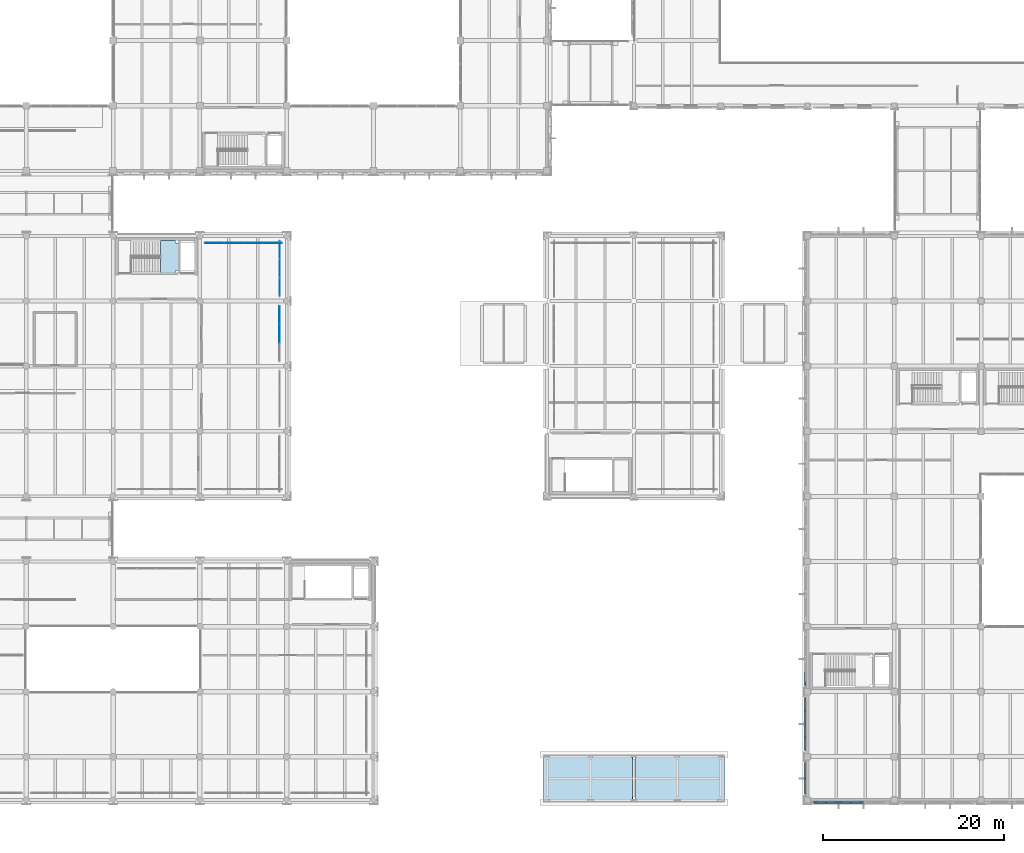
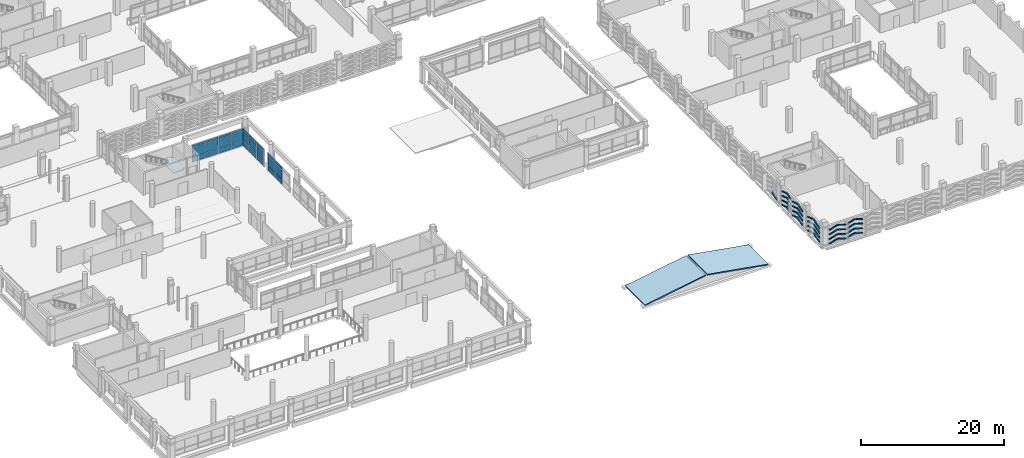
# One storey, part 124 of 180: 68 plates, 3 slabs, 4 elements without a shape of their own.
"""IFC4 building model written with IfcOpenShell, lengths in metres."""

from ifc_helpers import new_model, si_unit, direction, frame, origin, origin_2d, place, context, subcontext, project, spatial, polyline, rectangle, hollow_rectangle, outline, extrude, material, layer, layer_set, material_profile, profile_set, type_object, element, aggregate, save


model = new_model("IFC4")

# Units and contexts
model_context = context("Model", 3, precision=1e-05, world=origin(), true_north=direction((0.0, 1.0)))
body_context = subcontext(model_context, "Body", "Model", "MODEL_VIEW")
ifc_project = project(units=[si_unit("LENGTHUNIT", "METRE"), si_unit("AREAUNIT", "SQUARE_METRE"), si_unit("VOLUMEUNIT", "CUBIC_METRE"), si_unit("PLANEANGLEUNIT", "RADIAN"), si_unit("MASSUNIT", "GRAM", prefix="KILO")], contexts=[model_context])

# Site, building, storey
site_placement = place(None, origin())
site = spatial("IfcSite", under=ifc_project, at=site_placement, CompositionType="ELEMENT")
building_placement = place(site_placement, origin())
building = spatial("IfcBuilding", under=site, at=building_placement, Name="Asteropetra Specialist Clinic", CompositionType="ELEMENT")
storey_placement = place(building_placement, frame((0.0, 0.0, 4.419921875)))
storey = spatial("IfcBuildingStorey", under=building, at=storey_placement, Name="L01", CompositionType="ELEMENT", Elevation=4.419921875)

# Plates
ifc_material_1 = material(Name="Chevron emerald aluminium 6063-T6", Category="aluminium")
ifc_material_profile = material_profile(ifc_material_1, hollow_rectangle(XDim=0.199951171875, YDim=0.199951171875, WallThickness=0.010009765625, InnerFilletRadius=0.008056640625, OuterFilletRadius=0.01611328125, at=origin_2d()), Name="SHS 200x200x10.0")
ifc_profile_set = profile_set([ifc_material_profile], Name="Chevron emerald aluminium 6063-T6")
plate_type_1 = type_object("IfcPlateType", Name="CHV-RIB-200", PredefinedType="SHEET", material=ifc_profile_set)
for number, where, z_axis, x_axis, name in (
    (1, (106.2900390625, -0.24951171875, 0.050048828125), (0.952436086829, 0.0, 0.304738413241), (0.0, 1.0, 0.0), "Chevron Facade Screen Fin CVR-1976"),
    (2, (107.646728515625, -0.24951171875, 0.484130859375), (0.952436086829, 0.0, -0.304738413241), (0.0, 1.0, 0.0), "Chevron Facade Screen Fin CVR-1977"),
    (3, (106.2900390625, -0.24951171875, 0.820068359375), (0.952436086829, 0.0, 0.304738413241), (0.0, 1.0, 0.0), "Chevron Facade Screen Fin CVR-1978"),
    (4, (107.646728515625, -0.24951171875, 1.254150390625), (0.952436086829, 0.0, -0.304738413241), (0.0, 1.0, 0.0), "Chevron Facade Screen Fin CVR-1979"),
    (5, (106.2900390625, -0.24951171875, 1.6201171875), (0.952436086829, 0.0, 0.304738413241), (0.0, 1.0, 0.0), "Chevron Facade Screen Fin CVR-1980"),
    (6, (107.646728515625, -0.24951171875, 2.05419921875), (0.952436086829, 0.0, -0.304738413241), (0.0, 1.0, 0.0), "Chevron Facade Screen Fin CVR-1981"),
    (7, (106.2900390625, -0.24951171875, 2.400146484375), (0.952436086829, 0.0, 0.304738413241), (0.0, 1.0, 0.0), "Chevron Facade Screen Fin CVR-1982"),
    (8, (107.646728515625, -0.24951171875, 2.834228515625), (0.952436086829, 0.0, -0.304738413241), (0.0, 1.0, 0.0), "Chevron Facade Screen Fin CVR-1983"),
    (9, (109.043212890625, -0.24951171875, 0.050048828125), (0.952436086829, 0.0, 0.304738413241), (0.0, 1.0, 0.0), "Chevron Facade Screen Fin CVR-1984"),
    (10, (110.39990234375, -0.24951171875, 0.484130859375), (0.952436086829, 0.0, -0.304738413241), (0.0, 1.0, 0.0), "Chevron Facade Screen Fin CVR-1985"),
    (11, (109.043212890625, -0.24951171875, 0.820068359375), (0.952436086829, 0.0, 0.304738413241), (0.0, 1.0, 0.0), "Chevron Facade Screen Fin CVR-1986"),
    (12, (110.39990234375, -0.24951171875, 1.254150390625), (0.952436086829, 0.0, -0.304738413241), (0.0, 1.0, 0.0), "Chevron Facade Screen Fin CVR-1987"),
    (13, (109.043212890625, -0.24951171875, 1.6201171875), (0.952436086829, 0.0, 0.304738413241), (0.0, 1.0, 0.0), "Chevron Facade Screen Fin CVR-1988"),
    (14, (110.39990234375, -0.24951171875, 2.05419921875), (0.952436086829, 0.0, -0.304738413241), (0.0, 1.0, 0.0), "Chevron Facade Screen Fin CVR-1989"),
    (15, (109.043212890625, -0.24951171875, 2.400146484375), (0.952436086829, 0.0, 0.304738413241), (0.0, 1.0, 0.0), "Chevron Facade Screen Fin CVR-1990"),
    (16, (110.39990234375, -0.24951171875, 2.834228515625), (0.952436086829, 0.0, -0.304738413241), (0.0, 1.0, 0.0), "Chevron Facade Screen Fin CVR-1991"),
):
    element("IfcPlate", number, at=place(storey_placement, frame(where, z_axis=z_axis, x_axis=x_axis)), inside=storey, type_object=plate_type_1, Name=name, PredefinedType="SHEET", context=body_context, shape_type="SweptSolid", body=[
        extrude(hollow_rectangle(XDim=0.199951171875, YDim=0.199951171875, WallThickness=0.010009765625, InnerFilletRadius=0.008056640625, OuterFilletRadius=0.01611328125, at=origin_2d()), origin(), (0.0, 0.0, 1.0), 1.424560546875),
    ])
plate_1_placement = place(storey_placement, frame((105.3505859375, 4.110107421875, 0.050048828125), z_axis=(0.0, -0.952723728462, 0.303837945665), x_axis=(1.0, 0.0, 0.0)))
element("IfcPlate", 17, at=plate_1_placement, inside=storey, type_object=plate_type_1, Name="Chevron Facade Screen Fin CVR-2192", PredefinedType="SHEET", context=body_context, shape_type="SweptSolid", body=[
    extrude(hollow_rectangle(XDim=0.199951171875, YDim=0.199951171875, WallThickness=0.010009765625, InnerFilletRadius=0.008056640625, OuterFilletRadius=0.01611328125, at=origin_2d()), origin(), (0.0, 0.0, 1.0), 1.795166015625),
])
plate_2_placement = place(storey_placement, frame((105.3505859375, 2.39990234375, 0.595458984375), z_axis=(0.0, -0.952711170265, -0.303877320727), x_axis=(1.0, 0.0, 0.0)))
element("IfcPlate", 18, at=plate_2_placement, inside=storey, type_object=plate_type_1, Name="Chevron Facade Screen Fin CVR-2193", PredefinedType="SHEET", context=body_context, shape_type="SweptSolid", body=[
    extrude(hollow_rectangle(XDim=0.199951171875, YDim=0.199951171875, WallThickness=0.010009765625, InnerFilletRadius=0.008056640625, OuterFilletRadius=0.01611328125, at=origin_2d()), origin(), (0.0, 0.0, 1.0), 1.794921875),
])
plate_3_placement = place(storey_placement, frame((105.3505859375, 4.110107421875, 0.820068359375), z_axis=(0.0, -0.952723728462, 0.303837945665), x_axis=(1.0, 0.0, 0.0)))
element("IfcPlate", 19, at=plate_3_placement, inside=storey, type_object=plate_type_1, Name="Chevron Facade Screen Fin CVR-2194", PredefinedType="SHEET", context=body_context, shape_type="SweptSolid", body=[
    extrude(hollow_rectangle(XDim=0.199951171875, YDim=0.199951171875, WallThickness=0.010009765625, InnerFilletRadius=0.008056640625, OuterFilletRadius=0.01611328125, at=origin_2d()), origin(), (0.0, 0.0, 1.0), 1.795166015625),
])
plate_4_placement = place(storey_placement, frame((105.3505859375, 2.39990234375, 1.365478515625), z_axis=(0.0, -0.952711170265, -0.303877320727), x_axis=(1.0, 0.0, 0.0)))
element("IfcPlate", 20, at=plate_4_placement, inside=storey, type_object=plate_type_1, Name="Chevron Facade Screen Fin CVR-2195", PredefinedType="SHEET", context=body_context, shape_type="SweptSolid", body=[
    extrude(hollow_rectangle(XDim=0.199951171875, YDim=0.199951171875, WallThickness=0.010009765625, InnerFilletRadius=0.008056640625, OuterFilletRadius=0.01611328125, at=origin_2d()), origin(), (0.0, 0.0, 1.0), 1.794921875),
])
plate_5_placement = place(storey_placement, frame((105.3505859375, 4.110107421875, 1.6201171875), z_axis=(0.0, -0.952723728462, 0.303837945665), x_axis=(1.0, 0.0, 0.0)))
element("IfcPlate", 21, at=plate_5_placement, inside=storey, type_object=plate_type_1, Name="Chevron Facade Screen Fin CVR-2196", PredefinedType="SHEET", context=body_context, shape_type="SweptSolid", body=[
    extrude(hollow_rectangle(XDim=0.199951171875, YDim=0.199951171875, WallThickness=0.010009765625, InnerFilletRadius=0.008056640625, OuterFilletRadius=0.01611328125, at=origin_2d()), origin(), (0.0, 0.0, 1.0), 1.795166015625),
])
plate_6_placement = place(storey_placement, frame((105.3505859375, 2.39990234375, 2.16552734375), z_axis=(0.0, -0.952711170265, -0.303877320727), x_axis=(1.0, 0.0, 0.0)))
element("IfcPlate", 22, at=plate_6_placement, inside=storey, type_object=plate_type_1, Name="Chevron Facade Screen Fin CVR-2197", PredefinedType="SHEET", context=body_context, shape_type="SweptSolid", body=[
    extrude(hollow_rectangle(XDim=0.199951171875, YDim=0.199951171875, WallThickness=0.010009765625, InnerFilletRadius=0.008056640625, OuterFilletRadius=0.01611328125, at=origin_2d()), origin(), (0.0, 0.0, 1.0), 1.794921875),
])
plate_7_placement = place(storey_placement, frame((105.3505859375, 4.110107421875, 2.400146484375), z_axis=(0.0, -0.952723728462, 0.303837945665), x_axis=(1.0, 0.0, 0.0)))
element("IfcPlate", 23, at=plate_7_placement, inside=storey, type_object=plate_type_1, Name="Chevron Facade Screen Fin CVR-2198", PredefinedType="SHEET", context=body_context, shape_type="SweptSolid", body=[
    extrude(hollow_rectangle(XDim=0.199951171875, YDim=0.199951171875, WallThickness=0.010009765625, InnerFilletRadius=0.008056640625, OuterFilletRadius=0.01611328125, at=origin_2d()), origin(), (0.0, 0.0, 1.0), 1.795166015625),
])
plate_8_placement = place(storey_placement, frame((105.3505859375, 2.39990234375, 2.945556640625), z_axis=(0.0, -0.952711170265, -0.303877320727), x_axis=(1.0, 0.0, 0.0)))
element("IfcPlate", 24, at=plate_8_placement, inside=storey, type_object=plate_type_1, Name="Chevron Facade Screen Fin CVR-2199", PredefinedType="SHEET", context=body_context, shape_type="SweptSolid", body=[
    extrude(hollow_rectangle(XDim=0.199951171875, YDim=0.199951171875, WallThickness=0.010009765625, InnerFilletRadius=0.008056640625, OuterFilletRadius=0.01611328125, at=origin_2d()), origin(), (0.0, 0.0, 1.0), 1.794921875),
])
for number, where, z_axis, x_axis, name in (
    (25, (105.3505859375, 11.31005859375, 0.050048828125), (0.0, -0.952521261695, 0.304472077568), (1.0, 0.0, 0.0), "Chevron Facade Screen Fin CVR-2208"),
    (26, (105.3505859375, 9.864990234375, 0.511962890625), (0.0, -0.952521261695, -0.304472077568), (1.0, 0.0, 0.0), "Chevron Facade Screen Fin CVR-2209"),
    (27, (105.3505859375, 11.31005859375, 0.820068359375), (0.0, -0.952521261695, 0.304472077568), (1.0, 0.0, 0.0), "Chevron Facade Screen Fin CVR-2210"),
    (28, (105.3505859375, 9.864990234375, 1.281982421875), (0.0, -0.952521261695, -0.304472077568), (1.0, 0.0, 0.0), "Chevron Facade Screen Fin CVR-2211"),
    (29, (105.3505859375, 11.31005859375, 1.6201171875), (0.0, -0.952521261695, 0.304472077568), (1.0, 0.0, 0.0), "Chevron Facade Screen Fin CVR-2212"),
    (30, (105.3505859375, 9.864990234375, 2.08203125), (0.0, -0.952521261695, -0.304472077568), (1.0, 0.0, 0.0), "Chevron Facade Screen Fin CVR-2213"),
    (31, (105.3505859375, 11.31005859375, 2.400146484375), (0.0, -0.952521261695, 0.304472077568), (1.0, 0.0, 0.0), "Chevron Facade Screen Fin CVR-2214"),
    (32, (105.3505859375, 9.864990234375, 2.862060546875), (0.0, -0.952521261695, -0.304472077568), (1.0, 0.0, 0.0), "Chevron Facade Screen Fin CVR-2215"),
):
    element("IfcPlate", number, at=place(storey_placement, frame(where, z_axis=z_axis, x_axis=x_axis)), inside=storey, type_object=plate_type_1, Name=name, PredefinedType="SHEET", context=body_context, shape_type="SweptSolid", body=[
        extrude(hollow_rectangle(XDim=0.199951171875, YDim=0.199951171875, WallThickness=0.010009765625, InnerFilletRadius=0.008056640625, OuterFilletRadius=0.01611328125, at=origin_2d()), origin(), (0.0, 0.0, 1.0), 1.51708984375),
    ])
plate_9_placement = place(storey_placement, frame((105.3505859375, 8.3798828125, 0.050048828125), z_axis=(0.0, -0.952506339897, 0.304518755506), x_axis=(1.0, 0.0, 0.0)))
element("IfcPlate", 33, at=plate_9_placement, inside=storey, type_object=plate_type_1, Name="Chevron Facade Screen Fin CVR-2216", PredefinedType="SHEET", context=body_context, shape_type="SweptSolid", body=[
    extrude(hollow_rectangle(XDim=0.199951171875, YDim=0.199951171875, WallThickness=0.010009765625, InnerFilletRadius=0.008056640625, OuterFilletRadius=0.01611328125, at=origin_2d()), origin(), (0.0, 0.0, 1.0), 1.516845703125),
])
plate_10_placement = place(storey_placement, frame((105.3505859375, 6.93505859375, 0.511962890625), z_axis=(0.0, -0.952521261695, -0.304472077568), x_axis=(1.0, 0.0, 0.0)))
element("IfcPlate", 34, at=plate_10_placement, inside=storey, type_object=plate_type_1, Name="Chevron Facade Screen Fin CVR-2217", PredefinedType="SHEET", context=body_context, shape_type="SweptSolid", body=[
    extrude(hollow_rectangle(XDim=0.199951171875, YDim=0.199951171875, WallThickness=0.010009765625, InnerFilletRadius=0.008056640625, OuterFilletRadius=0.01611328125, at=origin_2d()), origin(), (0.0, 0.0, 1.0), 1.51708984375),
])
plate_11_placement = place(storey_placement, frame((105.3505859375, 8.3798828125, 0.820068359375), z_axis=(0.0, -0.952506339897, 0.304518755506), x_axis=(1.0, 0.0, 0.0)))
element("IfcPlate", 35, at=plate_11_placement, inside=storey, type_object=plate_type_1, Name="Chevron Facade Screen Fin CVR-2218", PredefinedType="SHEET", context=body_context, shape_type="SweptSolid", body=[
    extrude(hollow_rectangle(XDim=0.199951171875, YDim=0.199951171875, WallThickness=0.010009765625, InnerFilletRadius=0.008056640625, OuterFilletRadius=0.01611328125, at=origin_2d()), origin(), (0.0, 0.0, 1.0), 1.516845703125),
])
plate_12_placement = place(storey_placement, frame((105.3505859375, 6.93505859375, 1.281982421875), z_axis=(0.0, -0.952521261695, -0.304472077568), x_axis=(1.0, 0.0, 0.0)))
element("IfcPlate", 36, at=plate_12_placement, inside=storey, type_object=plate_type_1, Name="Chevron Facade Screen Fin CVR-2219", PredefinedType="SHEET", context=body_context, shape_type="SweptSolid", body=[
    extrude(hollow_rectangle(XDim=0.199951171875, YDim=0.199951171875, WallThickness=0.010009765625, InnerFilletRadius=0.008056640625, OuterFilletRadius=0.01611328125, at=origin_2d()), origin(), (0.0, 0.0, 1.0), 1.51708984375),
])
plate_13_placement = place(storey_placement, frame((105.3505859375, 8.3798828125, 1.6201171875), z_axis=(0.0, -0.952506339897, 0.304518755506), x_axis=(1.0, 0.0, 0.0)))
element("IfcPlate", 37, at=plate_13_placement, inside=storey, type_object=plate_type_1, Name="Chevron Facade Screen Fin CVR-2220", PredefinedType="SHEET", context=body_context, shape_type="SweptSolid", body=[
    extrude(hollow_rectangle(XDim=0.199951171875, YDim=0.199951171875, WallThickness=0.010009765625, InnerFilletRadius=0.008056640625, OuterFilletRadius=0.01611328125, at=origin_2d()), origin(), (0.0, 0.0, 1.0), 1.516845703125),
])
plate_14_placement = place(storey_placement, frame((105.3505859375, 6.93505859375, 2.08203125), z_axis=(0.0, -0.952521261695, -0.304472077568), x_axis=(1.0, 0.0, 0.0)))
element("IfcPlate", 38, at=plate_14_placement, inside=storey, type_object=plate_type_1, Name="Chevron Facade Screen Fin CVR-2221", PredefinedType="SHEET", context=body_context, shape_type="SweptSolid", body=[
    extrude(hollow_rectangle(XDim=0.199951171875, YDim=0.199951171875, WallThickness=0.010009765625, InnerFilletRadius=0.008056640625, OuterFilletRadius=0.01611328125, at=origin_2d()), origin(), (0.0, 0.0, 1.0), 1.51708984375),
])
plate_15_placement = place(storey_placement, frame((105.3505859375, 8.3798828125, 2.400146484375), z_axis=(0.0, -0.952506339897, 0.304518755506), x_axis=(1.0, 0.0, 0.0)))
element("IfcPlate", 39, at=plate_15_placement, inside=storey, type_object=plate_type_1, Name="Chevron Facade Screen Fin CVR-2222", PredefinedType="SHEET", context=body_context, shape_type="SweptSolid", body=[
    extrude(hollow_rectangle(XDim=0.199951171875, YDim=0.199951171875, WallThickness=0.010009765625, InnerFilletRadius=0.008056640625, OuterFilletRadius=0.01611328125, at=origin_2d()), origin(), (0.0, 0.0, 1.0), 1.516845703125),
])
for number, where, z_axis, x_axis, name in (
    (40, (105.3505859375, 6.93505859375, 2.862060546875), (0.0, -0.952521261695, -0.304472077568), (1.0, 0.0, 0.0), "Chevron Facade Screen Fin CVR-2223"),
    (41, (105.3505859375, 14.135009765625, 0.511962890625), (0.0, -0.952521261695, -0.304472077568), (1.0, 0.0, 0.0), "Chevron Facade Screen Fin CVR-2249"),
):
    element("IfcPlate", number, at=place(storey_placement, frame(where, z_axis=z_axis, x_axis=x_axis)), inside=storey, type_object=plate_type_1, Name=name, PredefinedType="SHEET", context=body_context, shape_type="SweptSolid", body=[
        extrude(hollow_rectangle(XDim=0.199951171875, YDim=0.199951171875, WallThickness=0.010009765625, InnerFilletRadius=0.008056640625, OuterFilletRadius=0.01611328125, at=origin_2d()), origin(), (0.0, 0.0, 1.0), 1.51708984375),
    ])

# Curtain wall, plates
ifc_material_2 = material(Name="Aluminium and low-E glass", Category="aluminium")
ifc_layer_1 = layer(ifc_material_2, 0.179931640625)
ifc_layer_set_1 = layer_set([ifc_layer_1], Name="Aluminium and low-E glass")
curtain_wall_type_1 = type_object("IfcCurtainWallType", Name="CW-SYS-01", PredefinedType="USERDEFINED", material=ifc_layer_set_1)
curtain_wall_1_placement = place(storey_placement, origin())
curtain_wall_1 = element("IfcCurtainWall", 42, at=curtain_wall_1_placement, inside=storey, type_object=curtain_wall_type_1, Name="Curtain Wall CW-165", ObjectType="UNITISED CURTAIN WALL", PredefinedType="USERDEFINED")
ifc_material_3 = material(Name="Low-E acoustic double glazing", Category="glass")
ifc_layer_2 = layer(ifc_material_3, 0.031982421875)
ifc_layer_set_2 = layer_set([ifc_layer_2], Name="Low-E acoustic double glazing")
plate_type_2 = type_object("IfcPlateType", Name="CWP-GLZ-32", PredefinedType="CURTAIN_PANEL", material=ifc_layer_set_2)
plate_16_placement = place(storey_placement, frame((47.219970703125, 56.7587890625, 0.074951171875), z_axis=(0.0, 0.0, 1.0), x_axis=(0.0, 1.0, 0.0)))
plate_16 = element("IfcPlate", 43, at=plate_16_placement, type_object=plate_type_2, Name="CW-165 panel 1.1", PredefinedType="CURTAIN_PANEL", context=body_context, shape_type="SweptSolid", body=[
    extrude(rectangle(XDim=1.947509765625, YDim=0.031982421875, at=origin_2d()), origin(), (0.0, 0.0, 1.0), 0.78759765625),
])
plate_17_placement = place(storey_placement, frame((47.219970703125, 56.7587890625, 0.9375), z_axis=(0.0, 0.0, 1.0), x_axis=(0.0, 1.0, 0.0)))
plate_17 = element("IfcPlate", 44, at=plate_17_placement, type_object=plate_type_2, Name="CW-165 panel 1.2", PredefinedType="CURTAIN_PANEL", context=body_context, shape_type="SweptSolid", body=[
    extrude(rectangle(XDim=1.947509765625, YDim=0.031982421875, at=origin_2d()), origin(), (0.0, 0.0, 1.0), 1.5849609375),
])
plate_18_placement = place(storey_placement, frame((47.219970703125, 56.7587890625, 2.59765625), z_axis=(0.0, 0.0, 1.0), x_axis=(0.0, 1.0, 0.0)))
plate_18 = element("IfcPlate", 45, at=plate_18_placement, type_object=plate_type_2, Name="CW-165 panel 1.3", PredefinedType="CURTAIN_PANEL", context=body_context, shape_type="SweptSolid", body=[
    extrude(rectangle(XDim=1.947509765625, YDim=0.031982421875, at=origin_2d()), origin(), (0.0, 0.0, 1.0), 0.387451171875),
])
plate_19_placement = place(storey_placement, frame((47.219970703125, 58.800048828125, 0.074951171875), z_axis=(0.0, 0.0, 1.0), x_axis=(0.0, 1.0, 0.0)))
plate_19 = element("IfcPlate", 46, at=plate_19_placement, type_object=plate_type_2, Name="CW-165 panel 2.1", PredefinedType="CURTAIN_PANEL", context=body_context, shape_type="SweptSolid", body=[
    extrude(rectangle(XDim=1.985107421875, YDim=0.031982421875, at=origin_2d()), origin(), (0.0, 0.0, 1.0), 0.78759765625),
])
plate_20_placement = place(storey_placement, frame((47.219970703125, 58.800048828125, 0.9375), z_axis=(0.0, 0.0, 1.0), x_axis=(0.0, 1.0, 0.0)))
plate_20 = element("IfcPlate", 47, at=plate_20_placement, type_object=plate_type_2, Name="CW-165 panel 2.2", PredefinedType="CURTAIN_PANEL", context=body_context, shape_type="SweptSolid", body=[
    extrude(rectangle(XDim=1.985107421875, YDim=0.031982421875, at=origin_2d()), origin(), (0.0, 0.0, 1.0), 1.5849609375),
])
plate_21_placement = place(storey_placement, frame((47.219970703125, 58.800048828125, 2.59765625), z_axis=(0.0, 0.0, 1.0), x_axis=(0.0, 1.0, 0.0)))
plate_21 = element("IfcPlate", 48, at=plate_21_placement, type_object=plate_type_2, Name="CW-165 panel 2.3", PredefinedType="CURTAIN_PANEL", context=body_context, shape_type="SweptSolid", body=[
    extrude(rectangle(XDim=1.985107421875, YDim=0.031982421875, at=origin_2d()), origin(), (0.0, 0.0, 1.0), 0.387451171875),
])
plate_22_placement = place(storey_placement, frame((47.219970703125, 60.84130859375, 0.074951171875), z_axis=(0.0, 0.0, 1.0), x_axis=(0.0, 1.0, 0.0)))
plate_22 = element("IfcPlate", 49, at=plate_22_placement, type_object=plate_type_2, Name="CW-165 panel 3.1", PredefinedType="CURTAIN_PANEL", context=body_context, shape_type="SweptSolid", body=[
    extrude(rectangle(XDim=1.947509765625, YDim=0.031982421875, at=origin_2d()), origin(), (0.0, 0.0, 1.0), 0.78759765625),
])
plate_23_placement = place(storey_placement, frame((47.219970703125, 60.84130859375, 0.9375), z_axis=(0.0, 0.0, 1.0), x_axis=(0.0, 1.0, 0.0)))
plate_23 = element("IfcPlate", 50, at=plate_23_placement, type_object=plate_type_2, Name="CW-165 panel 3.2", PredefinedType="CURTAIN_PANEL", context=body_context, shape_type="SweptSolid", body=[
    extrude(rectangle(XDim=1.947509765625, YDim=0.031982421875, at=origin_2d()), origin(), (0.0, 0.0, 1.0), 1.5849609375),
])
plate_24_placement = place(storey_placement, frame((47.219970703125, 60.84130859375, 2.59765625), z_axis=(0.0, 0.0, 1.0), x_axis=(0.0, 1.0, 0.0)))
plate_24 = element("IfcPlate", 51, at=plate_24_placement, type_object=plate_type_2, Name="CW-165 panel 3.3", PredefinedType="CURTAIN_PANEL", context=body_context, shape_type="SweptSolid", body=[
    extrude(rectangle(XDim=1.947509765625, YDim=0.031982421875, at=origin_2d()), origin(), (0.0, 0.0, 1.0), 0.387451171875),
])
aggregate(curtain_wall_1, [plate_16, plate_17, plate_18, plate_19, plate_20, plate_21, plate_22, plate_23, plate_24])

ifc_material_4 = material(Name="Aluminium and low-E glass", Category="aluminium")
ifc_layer_3 = layer(ifc_material_4, 0.14990234375)
ifc_layer_set_3 = layer_set([ifc_layer_3], Name="Aluminium and low-E glass")
curtain_wall_type_2 = type_object("IfcCurtainWallType", Name="CW-SYS-11", PredefinedType="USERDEFINED", material=ifc_layer_set_3)
curtain_wall_2_placement = place(storey_placement, origin())
curtain_wall_2 = element("IfcCurtainWall", 52, at=curtain_wall_2_placement, inside=storey, type_object=curtain_wall_type_2, Name="Curtain Wall CW-158", ObjectType="STICK GLAZED COLONNADE", PredefinedType="USERDEFINED")
ifc_material_5 = material(Name="Solar-control triple glazing", Category="glass")
ifc_layer_4 = layer(ifc_material_5, 0.035888671875)
ifc_layer_set_4 = layer_set([ifc_layer_4], Name="Solar-control triple glazing")
plate_type_3 = type_object("IfcPlateType", Name="CWP-GLZ-36", PredefinedType="CURTAIN_PANEL", material=ifc_layer_set_4)
plate_25_placement = place(storey_placement, frame((46.402587890625, 61.6201171875, 0.06005859375), z_axis=(0.0, 0.0, 1.0), x_axis=(-1.0, 0.0, 0.0)))
plate_25 = element("IfcPlate", 53, at=plate_25_placement, type_object=plate_type_3, Name="CW-158 panel 1.1", PredefinedType="CURTAIN_PANEL", context=body_context, shape_type="SweptSolid", body=[
    extrude(rectangle(XDim=2.054931640625, YDim=0.035888671875, at=origin_2d()), origin(), (0.0, 0.0, 1.0), 0.81005859375),
])
plate_26_placement = place(storey_placement, frame((46.402587890625, 61.6201171875, 0.929931640625), z_axis=(0.0, 0.0, 1.0), x_axis=(-1.0, 0.0, 0.0)))
plate_26 = element("IfcPlate", 54, at=plate_26_placement, type_object=plate_type_3, Name="CW-158 panel 1.2", PredefinedType="CURTAIN_PANEL", context=body_context, shape_type="SweptSolid", body=[
    extrude(rectangle(XDim=2.054931640625, YDim=0.035888671875, at=origin_2d()), origin(), (0.0, 0.0, 1.0), 1.60009765625),
])
plate_27_placement = place(storey_placement, frame((46.402587890625, 61.6201171875, 2.59033203125), z_axis=(0.0, 0.0, 1.0), x_axis=(-1.0, 0.0, 0.0)))
plate_27 = element("IfcPlate", 55, at=plate_27_placement, type_object=plate_type_3, Name="CW-158 panel 1.3", PredefinedType="CURTAIN_PANEL", context=body_context, shape_type="SweptSolid", body=[
    extrude(rectangle(XDim=2.054931640625, YDim=0.035888671875, at=origin_2d()), origin(), (0.0, 0.0, 1.0), 0.409912109375),
])
plate_28_placement = place(storey_placement, frame((44.2724609375, 61.6201171875, 0.06005859375), z_axis=(0.0, 0.0, 1.0), x_axis=(-1.0, 0.0, 0.0)))
plate_28 = element("IfcPlate", 56, at=plate_28_placement, type_object=plate_type_3, Name="CW-158 panel 2.1", PredefinedType="CURTAIN_PANEL", context=body_context, shape_type="SweptSolid", body=[
    extrude(rectangle(XDim=2.0849609375, YDim=0.035888671875, at=origin_2d()), origin(), (0.0, 0.0, 1.0), 0.81005859375),
])
plate_29_placement = place(storey_placement, frame((44.2724609375, 61.6201171875, 0.929931640625), z_axis=(0.0, 0.0, 1.0), x_axis=(-1.0, 0.0, 0.0)))
plate_29 = element("IfcPlate", 57, at=plate_29_placement, type_object=plate_type_3, Name="CW-158 panel 2.2", PredefinedType="CURTAIN_PANEL", context=body_context, shape_type="SweptSolid", body=[
    extrude(rectangle(XDim=2.0849609375, YDim=0.035888671875, at=origin_2d()), origin(), (0.0, 0.0, 1.0), 1.60009765625),
])
plate_30_placement = place(storey_placement, frame((44.2724609375, 61.6201171875, 2.59033203125), z_axis=(0.0, 0.0, 1.0), x_axis=(-1.0, 0.0, 0.0)))
plate_30 = element("IfcPlate", 58, at=plate_30_placement, type_object=plate_type_3, Name="CW-158 panel 2.3", PredefinedType="CURTAIN_PANEL", context=body_context, shape_type="SweptSolid", body=[
    extrude(rectangle(XDim=2.0849609375, YDim=0.035888671875, at=origin_2d()), origin(), (0.0, 0.0, 1.0), 0.409912109375),
])
plate_31_placement = place(storey_placement, frame((42.12744140625, 61.6201171875, 0.06005859375), z_axis=(0.0, 0.0, 1.0), x_axis=(-1.0, 0.0, 0.0)))
plate_31 = element("IfcPlate", 59, at=plate_31_placement, type_object=plate_type_3, Name="CW-158 panel 3.1", PredefinedType="CURTAIN_PANEL", context=body_context, shape_type="SweptSolid", body=[
    extrude(rectangle(XDim=2.0849609375, YDim=0.035888671875, at=origin_2d()), origin(), (0.0, 0.0, 1.0), 0.81005859375),
])
plate_32_placement = place(storey_placement, frame((42.12744140625, 61.6201171875, 0.929931640625), z_axis=(0.0, 0.0, 1.0), x_axis=(-1.0, 0.0, 0.0)))
plate_32 = element("IfcPlate", 60, at=plate_32_placement, type_object=plate_type_3, Name="CW-158 panel 3.2", PredefinedType="CURTAIN_PANEL", context=body_context, shape_type="SweptSolid", body=[
    extrude(rectangle(XDim=2.0849609375, YDim=0.035888671875, at=origin_2d()), origin(), (0.0, 0.0, 1.0), 1.60009765625),
])
plate_33_placement = place(storey_placement, frame((42.12744140625, 61.6201171875, 2.59033203125), z_axis=(0.0, 0.0, 1.0), x_axis=(-1.0, 0.0, 0.0)))
plate_33 = element("IfcPlate", 61, at=plate_33_placement, type_object=plate_type_3, Name="CW-158 panel 3.3", PredefinedType="CURTAIN_PANEL", context=body_context, shape_type="SweptSolid", body=[
    extrude(rectangle(XDim=2.0849609375, YDim=0.035888671875, at=origin_2d()), origin(), (0.0, 0.0, 1.0), 0.409912109375),
])
plate_34_placement = place(storey_placement, frame((39.99755859375, 61.6201171875, 0.06005859375), z_axis=(0.0, 0.0, 1.0), x_axis=(-1.0, 0.0, 0.0)))
plate_34 = element("IfcPlate", 62, at=plate_34_placement, type_object=plate_type_3, Name="CW-158 panel 4.1", PredefinedType="CURTAIN_PANEL", context=body_context, shape_type="SweptSolid", body=[
    extrude(rectangle(XDim=2.054931640625, YDim=0.035888671875, at=origin_2d()), origin(), (0.0, 0.0, 1.0), 0.81005859375),
])
plate_35_placement = place(storey_placement, frame((39.99755859375, 61.6201171875, 0.929931640625), z_axis=(0.0, 0.0, 1.0), x_axis=(-1.0, 0.0, 0.0)))
plate_35 = element("IfcPlate", 63, at=plate_35_placement, type_object=plate_type_3, Name="CW-158 panel 4.2", PredefinedType="CURTAIN_PANEL", context=body_context, shape_type="SweptSolid", body=[
    extrude(rectangle(XDim=2.054931640625, YDim=0.035888671875, at=origin_2d()), origin(), (0.0, 0.0, 1.0), 1.60009765625),
])
plate_36_placement = place(storey_placement, frame((39.99755859375, 61.6201171875, 2.59033203125), z_axis=(0.0, 0.0, 1.0), x_axis=(-1.0, 0.0, 0.0)))
plate_36 = element("IfcPlate", 64, at=plate_36_placement, type_object=plate_type_3, Name="CW-158 panel 4.3", PredefinedType="CURTAIN_PANEL", context=body_context, shape_type="SweptSolid", body=[
    extrude(rectangle(XDim=2.054931640625, YDim=0.035888671875, at=origin_2d()), origin(), (0.0, 0.0, 1.0), 0.409912109375),
])
aggregate(curtain_wall_2, [plate_25, plate_26, plate_27, plate_28, plate_29, plate_30, plate_31, plate_32, plate_33, plate_34, plate_35, plate_36])

ifc_material_6 = material(Name="Aluminium and low-E glass", Category="aluminium")
ifc_layer_5 = layer(ifc_material_6, 0.179931640625)
ifc_layer_set_5 = layer_set([ifc_layer_5], Name="Aluminium and low-E glass")
curtain_wall_type_3 = type_object("IfcCurtainWallType", Name="CW-SYS-10", PredefinedType="USERDEFINED", material=ifc_layer_set_5)
curtain_wall_3_placement = place(storey_placement, origin())
curtain_wall_3 = element("IfcCurtainWall", 65, at=curtain_wall_3_placement, inside=storey, type_object=curtain_wall_type_3, Name="Curtain Wall CW-163", ObjectType="STICK GLAZED COLONNADE", PredefinedType="USERDEFINED")
ifc_material_7 = material(Name="Laminated skylight glazing", Category="glass")
ifc_layer_6 = layer(ifc_material_7, 0.0400390625)
ifc_layer_set_6 = layer_set([ifc_layer_6], Name="Laminated skylight glazing")
plate_type_4 = type_object("IfcPlateType", Name="CWP-GLZ-40", PredefinedType="CURTAIN_PANEL", material=ifc_layer_set_6)
plate_37_placement = place(storey_placement, frame((47.219970703125, 51.60009765625, 0.06494140625), z_axis=(0.0, 0.0, 1.0), x_axis=(0.0, 1.0, 0.0)))
plate_37 = element("IfcPlate", 66, at=plate_37_placement, type_object=plate_type_4, Name="CW-163 panel 2.1", PredefinedType="CURTAIN_PANEL", context=body_context, shape_type="SweptSolid", body=[
    extrude(rectangle(XDim=1.9951171875, YDim=0.0400390625, at=origin_2d()), origin(), (0.0, 0.0, 1.0), 0.802490234375),
])
plate_38_placement = place(storey_placement, frame((47.219970703125, 51.60009765625, 0.9326171875), z_axis=(0.0, 0.0, 1.0), x_axis=(0.0, 1.0, 0.0)))
plate_38 = element("IfcPlate", 67, at=plate_38_placement, type_object=plate_type_4, Name="CW-163 panel 2.2", PredefinedType="CURTAIN_PANEL", context=body_context, shape_type="SweptSolid", body=[
    extrude(rectangle(XDim=1.9951171875, YDim=0.0400390625, at=origin_2d()), origin(), (0.0, 0.0, 1.0), 1.594970703125),
])
plate_39_placement = place(storey_placement, frame((47.219970703125, 51.60009765625, 2.5927734375), z_axis=(0.0, 0.0, 1.0), x_axis=(0.0, 1.0, 0.0)))
plate_39 = element("IfcPlate", 68, at=plate_39_placement, type_object=plate_type_4, Name="CW-163 panel 2.3", PredefinedType="CURTAIN_PANEL", context=body_context, shape_type="SweptSolid", body=[
    extrude(rectangle(XDim=1.9951171875, YDim=0.0400390625, at=origin_2d()), origin(), (0.0, 0.0, 1.0), 0.402587890625),
])
plate_40_placement = place(storey_placement, frame((47.219970703125, 53.643798828125, 0.06494140625), z_axis=(0.0, 0.0, 1.0), x_axis=(0.0, 1.0, 0.0)))
plate_40 = element("IfcPlate", 69, at=plate_40_placement, type_object=plate_type_4, Name="CW-163 panel 3.1", PredefinedType="CURTAIN_PANEL", context=body_context, shape_type="SweptSolid", body=[
    extrude(rectangle(XDim=1.96240234375, YDim=0.0400390625, at=origin_2d()), origin(), (0.0, 0.0, 1.0), 0.802490234375),
])
plate_41_placement = place(storey_placement, frame((47.219970703125, 53.643798828125, 0.9326171875), z_axis=(0.0, 0.0, 1.0), x_axis=(0.0, 1.0, 0.0)))
plate_41 = element("IfcPlate", 70, at=plate_41_placement, type_object=plate_type_4, Name="CW-163 panel 3.2", PredefinedType="CURTAIN_PANEL", context=body_context, shape_type="SweptSolid", body=[
    extrude(rectangle(XDim=1.96240234375, YDim=0.0400390625, at=origin_2d()), origin(), (0.0, 0.0, 1.0), 1.594970703125),
])
plate_42_placement = place(storey_placement, frame((47.219970703125, 53.643798828125, 2.5927734375), z_axis=(0.0, 0.0, 1.0), x_axis=(0.0, 1.0, 0.0)))
plate_42 = element("IfcPlate", 71, at=plate_42_placement, type_object=plate_type_4, Name="CW-163 panel 3.3", PredefinedType="CURTAIN_PANEL", context=body_context, shape_type="SweptSolid", body=[
    extrude(rectangle(XDim=1.96240234375, YDim=0.0400390625, at=origin_2d()), origin(), (0.0, 0.0, 1.0), 0.402587890625),
])
aggregate(curtain_wall_3, [plate_37, plate_38, plate_39, plate_40, plate_41, plate_42])

# Stair, slab
ifc_material_8 = material(Name="Concrete C35/45", Category="concrete")
stair_type = type_object("IfcStairType", Name="STR-DOG-160", PredefinedType="TWO_STRAIGHT_RUN_STAIR", material=ifc_material_8)
stair_placement = place(storey_placement, origin())
stair = element("IfcStair", 72, at=stair_placement, inside=storey, type_object=stair_type, Name="Type I Stair ST05-L01", PredefinedType="TWO_STRAIGHT_RUN_STAIR")
ifc_material_9 = material(Name="Concrete C35/45", Category="concrete")
ifc_layer_7 = layer(ifc_material_9, 0.199951171875)
ifc_layer_set_7 = layer_set([ifc_layer_7], Name="Concrete C35/45")
slab_type_1 = type_object("IfcSlabType", Name="SLB-LND-200", PredefinedType="LANDING", material=ifc_layer_set_7)
slab_1_placement = place(storey_placement, frame((0.0, 0.0, 1.840087890625)))
slab_1 = element("IfcSlab", 73, at=slab_1_placement, type_object=slab_type_1, Name="ST05-L01 landing 1", PredefinedType="LANDING", context=body_context, shape_type="SweptSolid", body=[
    extrude(outline(polyline([(34.050048828125, 58.27001953125), (35.699951171875, 58.27001953125), (35.699951171875, 58.590087890625), (36.02001953125, 58.590087890625), (36.02001953125, 61.590087890625), (35.699951171875, 61.590087890625), (35.699951171875, 61.909912109375), (34.050048828125, 61.909912109375), (34.050048828125, 58.27001953125)])), origin(), (0.0, 0.0, 1.0), 0.199951171875),
])
aggregate(stair, [slab_1])

# Slabs
ifc_material_10 = material(Name="Concrete C35/45", Category="concrete")
ifc_layer_8 = layer(ifc_material_10, 0.18994140625)
ifc_layer_set_8 = layer_set([ifc_layer_8], Name="Concrete C35/45")
slab_type_2 = type_object("IfcSlabType", Name="SLB-ROOF-190", PredefinedType="ROOF", material=ifc_layer_set_8)
slab_2_placement = place(storey_placement, frame((76.39990234375, -0.39990234375, 0.16015625), z_axis=(-0.169900379661, 0.0, 0.985461242765), x_axis=(0.985461242765, 0.0, 0.169900379661)))
element("IfcSlab", 74, at=slab_2_placement, inside=storey, type_object=slab_type_2, Name="Hexastyle Portico Pediment Roof West", PredefinedType="ROOF", context=body_context, shape_type="SweptSolid", body=[
    extrude(outline(polyline([(0.0, 0.0), (10.0055760632596, 0.0), (10.0055760632596, 5.5), (0.0, 5.5), (0.0, 0.0)])), origin(), (0.0, 0.0, -1.0), 0.18994140625),
])
slab_3_placement = place(storey_placement, frame((86.5400390625, -0.39990234375, 1.860107421875), z_axis=(0.169904465132, 0.0, 0.985460538392), x_axis=(0.985460538392, 0.0, -0.169904465132)))
element("IfcSlab", 75, at=slab_3_placement, inside=storey, type_object=slab_type_2, Name="Hexastyle Portico Pediment Roof East", PredefinedType="ROOF", context=body_context, shape_type="SweptSolid", body=[
    extrude(outline(polyline([(0.0, 0.0), (10.0053354722219, 0.0), (10.0053354722219, 5.5), (0.0, 5.5), (0.0, 0.0)])), origin(), (0.0, 0.0, -1.0), 0.18994140625),
])

save(model, "model.ifc")
